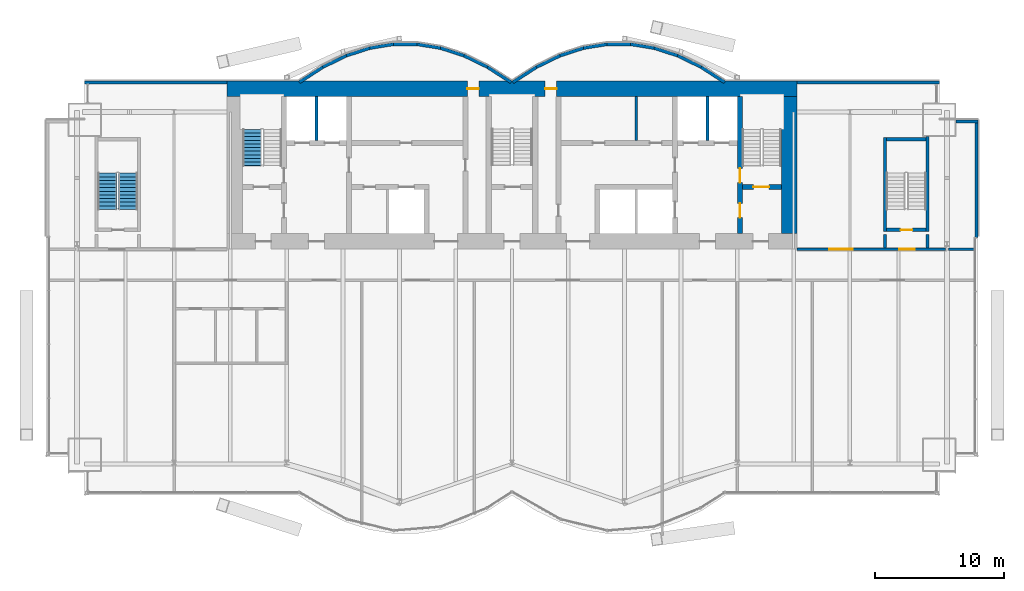
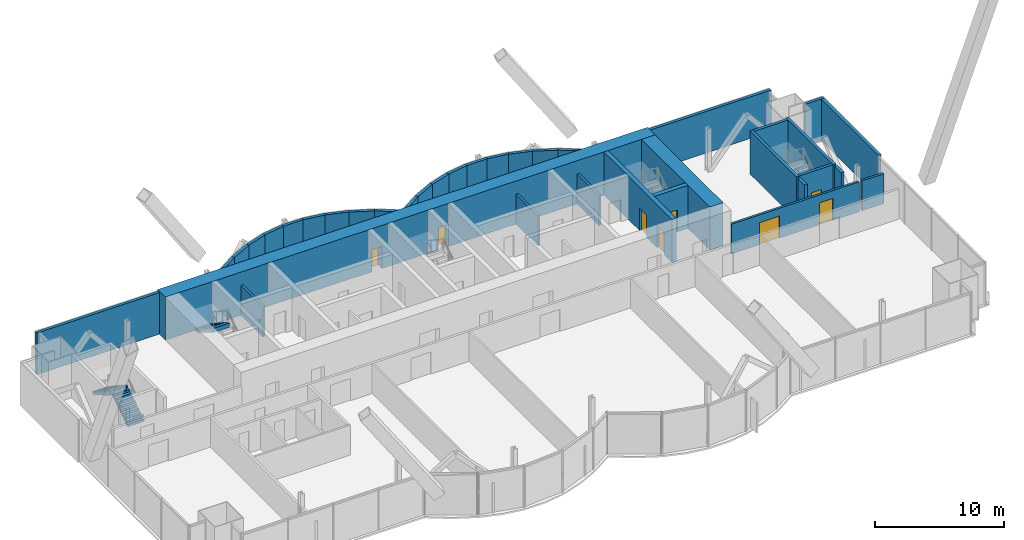
# One storey, part 20 of 24: 37 walls, 8 doors, 3 stair flights, 8 openings, 2 elements without a shape of their own.
"""IFC4 building model written with IfcOpenShell, lengths in metres."""

import ifcopenshell
import ifcopenshell.guid

model = None  # the IFC model being written
_history = None  # IfcOwnerHistory: only IFC2X3 demands one
_inside = {}  # id of a spatial element -> (the spatial element, [elements in it])
_under = {}  # id of a project, library or spatial element -> (it, [spatial elements below it])
_declared = {}  # id of a project -> (the project, [libraries it declares])
_typed = {}  # id of a type object -> (the type object, [elements of that type])
_made_of = {}  # id of a material, layer set ... -> (it, [elements and type objects made of it])


def new_model(schema):
    """Start an empty IFC model of exactly this schema.

    Asked for "IFC4X3", IfcOpenShell would pick the latest addendum, in which some entities
    have other attributes; the version numbers below select the first issue.
    IFC2X3 requires an IfcOwnerHistory on every rooted entity: one is made here for all.
    """
    global model, _history
    if schema == "IFC4X3":
        model = ifcopenshell.file(schema_version=(4, 3, 0, 0))
    else:
        model = ifcopenshell.file(schema=schema)
    _inside.clear()
    _under.clear()
    _declared.clear()
    _typed.clear()
    _made_of.clear()
    _history = None
    if model.schema == "IFC2X3":
        org = make("IfcOrganization", Name="unknown")
        user = make(
            "IfcPersonAndOrganization",
            ThePerson=make("IfcPerson", FamilyName="unknown"),
            TheOrganization=org,
        )
        app = make(
            "IfcApplication",
            ApplicationDeveloper=org,
            Version="unknown",
            ApplicationFullName="unknown",
            ApplicationIdentifier="unknown",
        )
        _history = make(
            "IfcOwnerHistory",
            OwningUser=user,
            OwningApplication=app,
            ChangeAction="ADDED",
            CreationDate=0,
        )
    return model


def make(cls, **values):
    """One entity of the class cls with the attributes given. An attribute that is None is left unset."""
    return model.create_entity(
        cls, **{name: value for name, value in values.items() if value is not None}
    )


def rooted(cls, **values):
    """An entity with a GlobalId (a new one), such as an element, a storey or a relation."""
    return make(cls, GlobalId=ifcopenshell.guid.new(), OwnerHistory=_history, **values)


def si_unit(unit_type, name, prefix=None):
    """IfcSIUnit, for example si_unit("LENGTHUNIT", "METRE", prefix="MILLI")."""
    return make("IfcSIUnit", UnitType=unit_type, Prefix=prefix, Name=name)


def assignment(units):
    """IfcUnitAssignment: the units of a project."""
    return None if units is None else make("IfcUnitAssignment", Units=units)


def point(xyz):
    """IfcCartesianPoint."""
    return None if xyz is None else make("IfcCartesianPoint", Coordinates=xyz)


def direction(xyz):
    """IfcDirection."""
    return None if xyz is None else make("IfcDirection", DirectionRatios=xyz)


def frame(location, z_axis=None, x_axis=None):
    """IfcAxis2Placement3D, a coordinate frame: its origin and axes. An axis left out is left unset."""
    return make(
        "IfcAxis2Placement3D",
        Location=point(location),
        Axis=direction(z_axis),
        RefDirection=direction(x_axis),
    )


def frame_2d(location, x_axis=None):
    """IfcAxis2Placement2D, a coordinate frame in the plane: its origin and x axis."""
    return make(
        "IfcAxis2Placement2D", Location=point(location), RefDirection=direction(x_axis)
    )


def origin():
    """The frame at (0, 0, 0) with its axes left unset."""
    return frame((0.0, 0.0, 0.0))


def place(relative_to, where):
    """IfcLocalPlacement: puts the frame where relative to a parent placement (None: the world)."""
    return make(
        "IfcLocalPlacement", PlacementRelTo=relative_to, RelativePlacement=where
    )


def context(
    kind, dimensions, precision=None, world=None, true_north=None, identifier=None
):
    """IfcGeometricRepresentationContext, for example the 3D "Model" context."""
    return make(
        "IfcGeometricRepresentationContext",
        ContextIdentifier=identifier,
        ContextType=kind,
        CoordinateSpaceDimension=dimensions,
        Precision=precision,
        WorldCoordinateSystem=world,
        TrueNorth=true_north,
    )


def subcontext(parent, identifier, kind, view, scale=None):
    """IfcGeometricRepresentationSubContext, for example "Body" below "Model"."""
    return make(
        "IfcGeometricRepresentationSubContext",
        ContextIdentifier=identifier,
        ContextType=kind,
        ParentContext=parent,
        TargetScale=scale,
        TargetView=view,
    )


def project(units=None, contexts=None):
    """IfcProject with its units and contexts."""
    return rooted(
        "IfcProject",
        Name="project",
        RepresentationContexts=contexts,
        UnitsInContext=assignment(units),
    )


def spatial(cls, under=None, at=None, **own):
    """A site, building, storey or space (cls), placed at a placement, below another one or the project."""
    s = rooted(cls, ObjectPlacement=at, **own)
    if under is not None:
        _under.setdefault(under.id(), (under, []))[1].append(s)
    return s


def polyline(points):
    """IfcPolyline through the points."""
    return make("IfcPolyline", Points=[point(p) for p in points])


def profile(cls, at=None, kind="AREA", **sizes):
    """A parametric profile (cls). Its sizes go by their IFC names, for example OverallWidth=200.0."""
    return make(cls, ProfileType=kind, Position=at, **sizes)


def rectangle(**sizes):
    """IfcRectangleProfileDef."""
    return profile("IfcRectangleProfileDef", **sizes)


def outline(outer, holes=None, kind="AREA"):
    """IfcArbitraryClosedProfileDef: a profile drawn as a closed curve; with holes, ...WithVoids."""
    if holes is None:
        return make("IfcArbitraryClosedProfileDef", ProfileType=kind, OuterCurve=outer)
    return make(
        "IfcArbitraryProfileDefWithVoids",
        ProfileType=kind,
        OuterCurve=outer,
        InnerCurves=holes,
    )


def extrude(swept, where, along, depth):
    """IfcExtrudedAreaSolid: the profile swept, set in the frame where, extruded along a direction by depth."""
    return make(
        "IfcExtrudedAreaSolid",
        SweptArea=swept,
        Position=where,
        ExtrudedDirection=direction(along),
        Depth=depth,
    )


def shape(context_of_items, identifier, shape_type, items):
    """IfcShapeRepresentation: the items that make up one representation, for example the "Body"."""
    return make(
        "IfcShapeRepresentation",
        ContextOfItems=context_of_items,
        RepresentationIdentifier=identifier,
        RepresentationType=shape_type,
        Items=items,
    )


def material(Name=None, Category=None):
    """IfcMaterial."""
    return make("IfcMaterial", Name=Name, Category=Category)


def layer(
    of_material, thickness, ventilated=None, Name=None, Category=None, Priority=None
):
    """IfcMaterialLayer: one layer of a wall or slab, of a material (None: an air gap)."""
    return make(
        "IfcMaterialLayer",
        Material=of_material,
        LayerThickness=thickness,
        IsVentilated=ventilated,
        Name=Name,
        Category=Category,
        Priority=Priority,
    )


def layer_set(layers, Name=None):
    """IfcMaterialLayerSet."""
    return make("IfcMaterialLayerSet", MaterialLayers=layers, LayerSetName=Name)


def layer_usage(for_layer_set, set_direction, sense, offset, extent=None):
    """IfcMaterialLayerSetUsage: how a layer set lies in its element."""
    return make(
        "IfcMaterialLayerSetUsage",
        ForLayerSet=for_layer_set,
        LayerSetDirection=set_direction,
        DirectionSense=sense,
        OffsetFromReferenceLine=offset,
        ReferenceExtent=extent,
    )


def made_of(thing, what):
    """Note that an element or type object is made of a material, layer set ...; save() writes the relation."""
    if what is not None:
        _made_of.setdefault(what.id(), (what, []))[1].append(thing)
    return thing


def type_object(cls, material=None, **own):
    """A type object (cls), such as IfcWallType, which elements share."""
    return made_of(rooted(cls, **own), material)


def element(
    cls,
    number,
    at=None,
    inside=None,
    cuts=None,
    type_object=None,
    material=None,
    context=None,
    identifier="Body",
    shape_type=None,
    held_by="IfcProductDefinitionShape",
    body=None,
    shapes=None,
    **own,
):
    """One element of the class cls, such as IfcWall. Its Tag is "e" and its number.

    at: its placement. inside: the storey or other place that contains it. cuts: it is an
    opening in that element (IfcRelVoidsElement). A single representation is given by context,
    identifier, shape_type and body (its items); several are given by shapes. held_by: the class
    of the entity that holds the representations. save() writes the other relations.
    """
    e = rooted(cls, Tag="e%d" % number, ObjectPlacement=at, **own)
    if body is not None:
        shapes = [shape(context, identifier, shape_type, body)]
    if shapes is not None:
        e.Representation = make(held_by, Representations=shapes)
    if inside is not None:
        _inside.setdefault(inside.id(), (inside, []))[1].append(e)
    if cuts is not None:
        rooted(
            "IfcRelVoidsElement", RelatingBuildingElement=cuts, RelatedOpeningElement=e
        )
    if type_object is not None:
        _typed.setdefault(type_object.id(), (type_object, []))[1].append(e)
    return made_of(e, material)


def fill(opening, filler):
    """IfcRelFillsElement: the door or window that sits in an opening."""
    return rooted(
        "IfcRelFillsElement",
        RelatingOpeningElement=opening,
        RelatedBuildingElement=filler,
    )


def aggregate(whole, parts):
    """IfcRelAggregates: a whole, such as a stair, and the parts it consists of."""
    return rooted("IfcRelAggregates", RelatingObject=whole, RelatedObjects=parts)


def save(model, path):
    """Write the relations noted so far, then the file.

    IfcRelAggregates (storeys below a building ...), IfcRelContainedInSpatialStructure (elements
    in a storey), IfcRelDefinesByType, IfcRelAssociatesMaterial and IfcRelDeclares: one each for
    every whole, place, type object, material and project.
    """
    for whole, parts in _under.values():
        aggregate(whole, parts)
    for where, things in _inside.values():
        rooted(
            "IfcRelContainedInSpatialStructure",
            RelatedElements=things,
            RelatingStructure=where,
        )
    for kind, things in _typed.values():
        rooted("IfcRelDefinesByType", RelatedObjects=things, RelatingType=kind)
    for what, things in _made_of.values():
        rooted("IfcRelAssociatesMaterial", RelatedObjects=things, RelatingMaterial=what)
    for by, libraries in _declared.values():
        rooted("IfcRelDeclares", RelatingContext=by, RelatedDefinitions=libraries)
    model.write(path)


model = new_model("IFC4")

# Units and contexts
model_context = context("Model", 3, precision=1e-05, world=origin(), true_north=direction((0.0, 1.0)))
body_context = subcontext(model_context, "Body", "Model", "MODEL_VIEW")
ifc_project = project(units=[si_unit("LENGTHUNIT", "METRE"), si_unit("AREAUNIT", "SQUARE_METRE"), si_unit("VOLUMEUNIT", "CUBIC_METRE"), si_unit("PLANEANGLEUNIT", "RADIAN"), si_unit("MASSUNIT", "GRAM", prefix="KILO")], contexts=[model_context])

# Site, building, storey
site_placement = place(None, origin())
site = spatial("IfcSite", under=ifc_project, at=site_placement, CompositionType="ELEMENT")
building_placement = place(site_placement, origin())
building = spatial("IfcBuilding", under=site, at=building_placement, Name="Bicima Exchange Tower", CompositionType="ELEMENT")
storey_placement = place(building_placement, frame((0.0, 0.0, 211.39990234375)))
storey = spatial("IfcBuildingStorey", under=building, at=storey_placement, Name="L47", CompositionType="ELEMENT", Elevation=211.39990234375)

# Walls
ifc_material_1 = material(Name="Gypsum board partition")
ifc_layer_1 = layer(ifc_material_1, 0.199951171875)
ifc_layer_set_1 = layer_set([ifc_layer_1], Name="Gypsum board partition")
wall_type_1 = type_object("IfcWallType", Name="Fire-rated gypsum partition 200 EI120", PredefinedType="PARTITIONING", material=ifc_layer_set_1)
for number, where, z_axis, x_axis, name in (
    (1, (-15.10009765625, -4.60009765625, 0.0), (0.0, 0.0, 1.0), (0.0, 1.0, 0.0), "partition wall 9"),
    (2, (15.10009765625, -4.60009765625, 0.0), (0.0, 0.0, 1.0), (0.0, 1.0, 0.0), "partition wall 21"),
):
    element("IfcWall", number, at=place(storey_placement, frame(where, z_axis=z_axis, x_axis=x_axis)), inside=storey, type_object=wall_type_1, Name=name, PredefinedType="PARTITIONING", context=body_context, shape_type="SweptSolid", body=[
        extrude(rectangle(XDim=3.400146484375, YDim=0.199951171875, at=frame_2d((1.7001953125, 0.0))), origin(), (0.0, 0.0, 1.0), 2.840576171875),
    ])

# Wall, openings, doors
ifc_layer_2 = layer(ifc_material_1, 0.199951171875)
ifc_layer_set_2 = layer_set([ifc_layer_2], Name="Gypsum board partition")
wall_type_2 = type_object("IfcWallType", Name="Fire-rated gypsum partition 200 EI60", PredefinedType="PARTITIONING", material=ifc_layer_set_2)
wall_1_placement = place(storey_placement, frame((22.0, -13.0, 0.0), z_axis=(0.0, 0.0, 1.0), x_axis=(1.0, 0.0, 0.0)))
wall_1 = element("IfcWall", 3, at=wall_1_placement, inside=storey, type_object=wall_type_2, Name="partition wall 6", PredefinedType="PARTITIONING", context=body_context, shape_type="SweptSolid", body=[
    extrude(rectangle(XDim=11.47998046875, YDim=0.199951171875, at=frame_2d((5.739990234375, 0.0))), origin(), (0.0, 0.0, 1.0), 2.840576171875),
])
opening_1_placement = place(wall_1_placement, frame((7.89990234375, 0.0, 0.0)))
opening_1 = element("IfcOpeningElement", 4, at=opening_1_placement, cuts=wall_1, Name="Opening L47-003", PredefinedType="OPENING", context=body_context, shape_type="SweptSolid", body=[
    extrude(rectangle(XDim=1.199951171875, YDim=2.10009765625, at=frame_2d((0.60009765625, 1.050048828125))), frame((0.0, 0.11181640625, 0.0), z_axis=(0.0, -1.0, 0.0), x_axis=(1.0, 0.0, 0.0)), (0.0, 0.0, 1.0), 0.223876953125),
])
opening_2_placement = place(wall_1_placement, frame((2.5, 0.0, 0.0)))
opening_2 = element("IfcOpeningElement", 5, at=opening_2_placement, cuts=wall_1, Name="Opening L47-006", PredefinedType="OPENING", context=body_context, shape_type="SweptSolid", body=[
    extrude(rectangle(XDim=1.800048828125, YDim=2.10009765625, at=frame_2d((0.89990234375, 1.050048828125))), frame((0.0, 0.11181640625, 0.0), z_axis=(0.0, -1.0, 0.0), x_axis=(1.0, 0.0, 0.0)), (0.0, 0.0, 1.0), 0.223876953125),
])
ifc_material_2 = material(Name="Steel fire door leaf", Category="steel")
door_type_1 = type_object("IfcDoorType", Name="Door 1200 swing FD30S", OperationType="SINGLE_SWING_LEFT", PredefinedType="DOOR", material=ifc_material_2)
door_1_placement = place(opening_1_placement, origin())
door_1 = element("IfcDoor", 6, at=door_1_placement, inside=storey, type_object=door_type_1, Name="Door", OperationType="SINGLE_SWING_RIGHT", OverallHeight=2.10009765625, OverallWidth=1.199951171875, PredefinedType="DOOR", context=body_context, shape_type="SweptSolid", body=[
    extrude(rectangle(XDim=1.199951171875, YDim=2.10009765625, at=frame_2d((0.60009765625, 1.050048828125))), frame((0.0, 0.02490234375, 0.0), z_axis=(0.0, -1.0, 0.0), x_axis=(1.0, 0.0, 0.0)), (0.0, 0.0, 1.0), 0.050048828125),
])
fill(opening_1, door_1)
door_type_2 = type_object("IfcDoorType", Name="Door 1800 double swing FD30S", OperationType="DOUBLE_DOOR_SINGLE_SWING", PredefinedType="DOOR", material=ifc_material_2)
door_2_placement = place(opening_2_placement, origin())
door_2 = element("IfcDoor", 7, at=door_2_placement, inside=storey, type_object=door_type_2, Name="Door", OperationType="SINGLE_SWING_LEFT", OverallHeight=2.10009765625, OverallWidth=1.800048828125, PredefinedType="DOOR", context=body_context, shape_type="SweptSolid", body=[
    extrude(rectangle(XDim=1.800048828125, YDim=2.10009765625, at=frame_2d((0.89990234375, 1.050048828125))), frame((0.0, 0.02490234375, 0.0), z_axis=(0.0, -1.0, 0.0), x_axis=(1.0, 0.0, 0.0)), (0.0, 0.0, 1.0), 0.050048828125),
])
fill(opening_2, door_2)

# Walls
wall_2_placement = place(storey_placement, frame((33.719970703125, -13.0, 0.0), z_axis=(0.0, 0.0, 1.0), x_axis=(1.0, 0.0, 0.0)))
element("IfcWall", 8, at=wall_2_placement, inside=storey, type_object=wall_type_2, Name="partition wall 7", PredefinedType="PARTITIONING", context=body_context, shape_type="SweptSolid", body=[
    extrude(rectangle(XDim=1.9599609375, YDim=0.199951171875, at=frame_2d((0.97998046875, 0.0))), origin(), (0.0, 0.0, 1.0), 2.840576171875),
])
wall_3_placement = place(storey_placement, frame((9.60009765625, -4.60009765625, 0.0), z_axis=(0.0, 0.0, 1.0), x_axis=(0.0, 1.0, 0.0)))
element("IfcWall", 9, at=wall_3_placement, inside=storey, type_object=wall_type_2, Name="partition wall 19", PredefinedType="PARTITIONING", context=body_context, shape_type="SweptSolid", body=[
    extrude(rectangle(XDim=3.400146484375, YDim=0.199951171875, at=frame_2d((1.7001953125, 0.0))), origin(), (0.0, 0.0, 1.0), 2.840576171875),
])

# Wall, openings, doors
ifc_material_3 = material(Name="Concrete C50/60", Category="concrete")
ifc_layer_3 = layer(ifc_material_3, 1.199951171875)
ifc_layer_set_3 = layer_set([ifc_layer_3], Name="Concrete C50/60")
wall_type_3 = type_object("IfcWallType", Name="RC core wall 1200 C50/60", PredefinedType="SHEAR", material=ifc_layer_set_3)
wall_4_placement = place(storey_placement, frame((-22.0, -0.60009765625, 0.0), z_axis=(0.0, 0.0, 1.0), x_axis=(1.0, 0.0, 0.0)))
wall_4 = element("IfcWall", 10, at=wall_4_placement, inside=storey, type_object=wall_type_3, Name="Core wall north", PredefinedType="SHEAR", context=body_context, shape_type="SweptSolid", body=[
    extrude(rectangle(XDim=44.0, YDim=1.199951171875, at=frame_2d((22.0, 0.0))), origin(), (0.0, 0.0, 1.0), 4.10009765625),
])
opening_3_placement = place(wall_4_placement, frame((18.550048828125, 0.0, 0.0)))
opening_3 = element("IfcOpeningElement", 11, at=opening_3_placement, cuts=wall_4, Name="Opening L47-C16", PredefinedType="OPENING", context=body_context, shape_type="SweptSolid", body=[
    extrude(rectangle(XDim=0.89990234375, YDim=2.10009765625, at=frame_2d((0.449951171875, 1.050048828125))), frame((0.0, 0.61181640625, 0.0), z_axis=(0.0, -1.0, 0.0), x_axis=(1.0, 0.0, 0.0)), (0.0, 0.0, 1.0), 1.223876953125),
])
opening_4_placement = place(wall_4_placement, frame((24.550048828125, 0.0, 0.0)))
opening_4 = element("IfcOpeningElement", 12, at=opening_4_placement, cuts=wall_4, Name="Opening L47-C17", PredefinedType="OPENING", context=body_context, shape_type="SweptSolid", body=[
    extrude(rectangle(XDim=0.89990234375, YDim=2.10009765625, at=frame_2d((0.449951171875, 1.050048828125))), frame((0.0, 0.61181640625, 0.0), z_axis=(0.0, -1.0, 0.0), x_axis=(1.0, 0.0, 0.0)), (0.0, 0.0, 1.0), 1.223876953125),
])
door_type_3 = type_object("IfcDoorType", Name="Door 900 swing FD30S", OperationType="SINGLE_SWING_LEFT", PredefinedType="DOOR", material=ifc_material_2)
door_3_placement = place(opening_3_placement, origin())
door_3 = element("IfcDoor", 13, at=door_3_placement, inside=storey, type_object=door_type_3, Name="Core door", OperationType="SINGLE_SWING_LEFT", OverallHeight=2.10009765625, OverallWidth=0.89990234375, PredefinedType="DOOR", context=body_context, shape_type="SweptSolid", body=[
    extrude(rectangle(XDim=0.89990234375, YDim=2.10009765625, at=frame_2d((0.449951171875, 1.050048828125))), frame((0.0, 0.02490234375, 0.0), z_axis=(0.0, -1.0, 0.0), x_axis=(1.0, 0.0, 0.0)), (0.0, 0.0, 1.0), 0.050048828125),
])
fill(opening_3, door_3)
door_4_placement = place(opening_4_placement, origin())
door_4 = element("IfcDoor", 14, at=door_4_placement, inside=storey, type_object=door_type_3, Name="Core door", OperationType="SINGLE_SWING_LEFT", OverallHeight=2.10009765625, OverallWidth=0.89990234375, PredefinedType="DOOR", context=body_context, shape_type="SweptSolid", body=[
    extrude(rectangle(XDim=0.89990234375, YDim=2.10009765625, at=frame_2d((0.449951171875, 1.050048828125))), frame((0.0, 0.02490234375, 0.0), z_axis=(0.0, -1.0, 0.0), x_axis=(1.0, 0.0, 0.0)), (0.0, 0.0, 1.0), 0.050048828125),
])
fill(opening_4, door_4)

# Walls
wall_5_placement = place(storey_placement, frame((21.39990234375, -11.800048828125, 0.0), z_axis=(0.0, 0.0, 1.0), x_axis=(0.0, 1.0, 0.0)))
element("IfcWall", 15, at=wall_5_placement, inside=storey, type_object=wall_type_3, Name="Core wall east", PredefinedType="SHEAR", context=body_context, shape_type="SweptSolid", body=[
    extrude(rectangle(XDim=10.60009765625, YDim=1.199951171875, at=frame_2d((5.300048828125, 0.0))), origin(), (0.0, 0.0, 1.0), 4.10009765625),
])
ifc_layer_4 = layer(ifc_material_3, 0.25)
ifc_layer_set_4 = layer_set([ifc_layer_4], Name="Concrete C50/60")
wall_type_4 = type_object("IfcWallType", Name="RC core wall 250 C50/60", PredefinedType="SHEAR", material=ifc_layer_set_4)
for number, where, z_axis, x_axis, name in (
    (16, (28.800048828125, -12.89990234375, 0.0), (0.0, 0.0, 1.0), (0.0, 1.0, 0.0), "stair wall 26"),
    (17, (32.10009765625, -12.89990234375, 0.0), (0.0, 0.0, 1.0), (0.0, 1.0, 0.0), "stair wall 27"),
):
    element("IfcWall", number, at=place(storey_placement, frame(where, z_axis=z_axis, x_axis=x_axis)), inside=storey, type_object=wall_type_4, Name=name, PredefinedType="SHEAR", context=body_context, shape_type="SweptSolid", body=[
        extrude(rectangle(XDim=1.0498046875, YDim=0.25, at=frame_2d((0.52490234375, 0.0))), origin(), (0.0, 0.0, 1.0), 4.10009765625),
    ])

# Wall, opening, door
ifc_layer_5 = layer(ifc_material_3, 0.39990234375)
ifc_layer_set_5 = layer_set([ifc_layer_5], Name="Concrete C50/60")
wall_type_5 = type_object("IfcWallType", Name="RC core wall 400 C50/60", PredefinedType="SHEAR", material=ifc_layer_set_5)
wall_6_placement = place(storey_placement, frame((17.800048828125, -8.199951171875, 0.0), z_axis=(0.0, 0.0, 1.0), x_axis=(1.0, 0.0, 0.0)))
wall_6 = element("IfcWall", 18, at=wall_6_placement, inside=storey, type_object=wall_type_5, Name="stair wall 5", PredefinedType="SHEAR", context=body_context, shape_type="SweptSolid", body=[
    extrude(rectangle(XDim=3.0, YDim=0.39990234375, at=frame_2d((1.5, 0.0))), origin(), (0.0, 0.0, 1.0), 4.10009765625),
])
opening_5_placement = place(wall_6_placement, frame((0.85009765625, 0.0, 0.0)))
opening_5 = element("IfcOpeningElement", 19, at=opening_5_placement, cuts=wall_6, Name="Opening L47-C04", PredefinedType="OPENING", context=body_context, shape_type="SweptSolid", body=[
    extrude(rectangle(XDim=1.199951171875, YDim=2.10009765625, at=frame_2d((0.60009765625, 1.050048828125))), frame((0.0, 0.2119140625, 0.0), z_axis=(0.0, -1.0, 0.0), x_axis=(1.0, 0.0, 0.0)), (0.0, 0.0, 1.0), 0.423828125),
])
door_type_4 = type_object("IfcDoorType", Name="Door 1200 swing FD60S", OperationType="SINGLE_SWING_LEFT", PredefinedType="DOOR", material=ifc_material_2)
door_5_placement = place(opening_5_placement, origin())
door_5 = element("IfcDoor", 20, at=door_5_placement, inside=storey, type_object=door_type_4, Name="Core door", OperationType="SINGLE_SWING_RIGHT", OverallHeight=2.10009765625, OverallWidth=1.199951171875, PredefinedType="DOOR", context=body_context, shape_type="SweptSolid", body=[
    extrude(rectangle(XDim=1.199951171875, YDim=2.10009765625, at=frame_2d((0.60009765625, 1.050048828125))), frame((0.0, 0.02490234375, 0.0), z_axis=(0.0, -1.0, 0.0), x_axis=(1.0, 0.0, 0.0)), (0.0, 0.0, 1.0), 0.050048828125),
])
fill(opening_5, door_5)

# Wall, openings, doors
wall_7_placement = place(storey_placement, frame((17.60009765625, -11.800048828125, 0.0), z_axis=(0.0, 0.0, 1.0), x_axis=(0.0, 1.0, 0.0)))
wall_7 = element("IfcWall", 21, at=wall_7_placement, inside=storey, type_object=wall_type_5, Name="stair wall 22", PredefinedType="SHEAR", context=body_context, shape_type="SweptSolid", body=[
    extrude(rectangle(XDim=10.60009765625, YDim=0.39990234375, at=frame_2d((5.300048828125, 0.0))), origin(), (0.0, 0.0, 1.0), 4.10009765625),
])
opening_6_placement = place(wall_7_placement, frame((1.25, 0.0, 0.0)))
opening_6 = element("IfcOpeningElement", 22, at=opening_6_placement, cuts=wall_7, Name="Opening L47-C05", PredefinedType="OPENING", context=body_context, shape_type="SweptSolid", body=[
    extrude(rectangle(XDim=1.10009765625, YDim=2.10009765625, at=frame_2d((0.550048828125, 1.050048828125))), frame((0.0, 0.2119140625, 0.0), z_axis=(0.0, -1.0, 0.0), x_axis=(1.0, 0.0, 0.0)), (0.0, 0.0, 1.0), 0.423828125),
])
opening_7_placement = place(wall_7_placement, frame((3.949951171875, 0.0, 0.0)))
opening_7 = element("IfcOpeningElement", 23, at=opening_7_placement, cuts=wall_7, Name="Opening L47-C08", PredefinedType="OPENING", context=body_context, shape_type="SweptSolid", body=[
    extrude(rectangle(XDim=1.10009765625, YDim=2.10009765625, at=frame_2d((0.550048828125, 1.050048828125))), frame((0.0, 0.2119140625, 0.0), z_axis=(0.0, -1.0, 0.0), x_axis=(1.0, 0.0, 0.0)), (0.0, 0.0, 1.0), 0.423828125),
])
door_type_5 = type_object("IfcDoorType", Name="Door 1100 swing FD60S", OperationType="SINGLE_SWING_LEFT", PredefinedType="DOOR", material=ifc_material_2)
door_6_placement = place(opening_6_placement, origin())
door_6 = element("IfcDoor", 24, at=door_6_placement, inside=storey, type_object=door_type_5, Name="Core door", OperationType="SINGLE_SWING_LEFT", OverallHeight=2.10009765625, OverallWidth=1.10009765625, PredefinedType="DOOR", context=body_context, shape_type="SweptSolid", body=[
    extrude(rectangle(XDim=1.10009765625, YDim=2.10009765625, at=frame_2d((0.550048828125, 1.050048828125))), frame((0.0, 0.02490234375, 0.0), z_axis=(0.0, -1.0, 0.0), x_axis=(1.0, 0.0, 0.0)), (0.0, 0.0, 1.0), 0.050048828125),
])
fill(opening_6, door_6)
door_7_placement = place(opening_7_placement, origin())
door_7 = element("IfcDoor", 25, at=door_7_placement, inside=storey, type_object=door_type_5, Name="Core door", OperationType="SINGLE_SWING_RIGHT", OverallHeight=2.10009765625, OverallWidth=1.10009765625, PredefinedType="DOOR", context=body_context, shape_type="SweptSolid", body=[
    extrude(rectangle(XDim=1.10009765625, YDim=2.10009765625, at=frame_2d((0.550048828125, 1.050048828125))), frame((0.0, 0.02490234375, 0.0), z_axis=(0.0, -1.0, 0.0), x_axis=(1.0, 0.0, 0.0)), (0.0, 0.0, 1.0), 0.050048828125),
])
fill(opening_7, door_7)

# Walls
ifc_layer_6 = layer(ifc_material_3, 0.25)
ifc_layer_set_6 = layer_set([ifc_layer_6], Name="Concrete C50/60")
wall_type_6 = type_object("IfcWallType", Name="RC stair enclosure wall 250 C50/60", PredefinedType="SHEAR", material=ifc_layer_set_6)
wall_8_placement = place(storey_placement, frame((28.800048828125, -11.625, 0.0), z_axis=(0.0, 0.0, 1.0), x_axis=(0.0, 1.0, 0.0)))
element("IfcWall", 26, at=wall_8_placement, inside=storey, type_object=wall_type_6, Name="East end exit stair wall W", PredefinedType="SHEAR", context=body_context, shape_type="SweptSolid", body=[
    extrude(rectangle(XDim=7.25, YDim=0.25, at=frame_2d((3.625, 0.0))), origin(), (0.0, 0.0, 1.0), 4.10009765625),
])
wall_9_placement = place(storey_placement, frame((32.10009765625, -11.625, 0.0), z_axis=(0.0, 0.0, 1.0), x_axis=(0.0, 1.0, 0.0)))
element("IfcWall", 27, at=wall_9_placement, inside=storey, type_object=wall_type_6, Name="East end exit stair wall E", PredefinedType="SHEAR", context=body_context, shape_type="SweptSolid", body=[
    extrude(rectangle(XDim=7.324951171875, YDim=0.25, at=frame_2d((3.66259765625, 0.0))), origin(), (0.0, 0.0, 1.0), 4.10009765625),
])

# Wall, opening, door
wall_10_placement = place(storey_placement, frame((28.925048828125, -11.5, 0.0), z_axis=(0.0, 0.0, 1.0), x_axis=(1.0, 0.0, 0.0)))
wall_10 = element("IfcWall", 28, at=wall_10_placement, inside=storey, type_object=wall_type_6, Name="East end exit stair wall S", PredefinedType="SHEAR", context=body_context, shape_type="SweptSolid", body=[
    extrude(rectangle(XDim=3.050048828125, YDim=0.25, at=frame_2d((1.52490234375, 0.0))), origin(), (0.0, 0.0, 1.0), 4.10009765625),
])
opening_8_placement = place(wall_10_placement, frame((1.10009765625, 0.0, 0.0)))
opening_8 = element("IfcOpeningElement", 29, at=opening_8_placement, cuts=wall_10, Name="Opening L47-004", PredefinedType="OPENING", context=body_context, shape_type="SweptSolid", body=[
    extrude(rectangle(XDim=0.89990234375, YDim=2.10009765625, at=frame_2d((0.449951171875, 1.050048828125))), frame((0.0, 0.136962890625, 0.0), z_axis=(0.0, -1.0, 0.0), x_axis=(1.0, 0.0, 0.0)), (0.0, 0.0, 1.0), 0.27392578125),
])
door_type_6 = type_object("IfcDoorType", Name="Door 900 swing FD60S", OperationType="SINGLE_SWING_LEFT", PredefinedType="DOOR", material=ifc_material_2)
door_8_placement = place(opening_8_placement, origin())
door_8 = element("IfcDoor", 30, at=door_8_placement, inside=storey, type_object=door_type_6, Name="Door", OperationType="SINGLE_SWING_LEFT", OverallHeight=2.10009765625, OverallWidth=0.89990234375, PredefinedType="DOOR", context=body_context, shape_type="SweptSolid", body=[
    extrude(rectangle(XDim=0.89990234375, YDim=2.10009765625, at=frame_2d((0.449951171875, 1.050048828125))), frame((0.0, 0.02490234375, 0.0), z_axis=(0.0, -1.0, 0.0), x_axis=(1.0, 0.0, 0.0)), (0.0, 0.0, 1.0), 0.050048828125),
])
fill(opening_8, door_8)

# Walls
wall_11_placement = place(storey_placement, frame((28.925048828125, -4.5, 0.0), z_axis=(0.0, 0.0, 1.0), x_axis=(1.0, 0.0, 0.0)))
element("IfcWall", 31, at=wall_11_placement, inside=storey, type_object=wall_type_6, Name="East end exit stair wall N", PredefinedType="SHEAR", context=body_context, shape_type="SweptSolid", body=[
    extrude(rectangle(XDim=3.050048828125, YDim=0.25, at=frame_2d((1.52490234375, 0.0))), origin(), (0.0, 0.0, 1.0), 4.10009765625),
])
ifc_material_4 = material(Name="Concrete C40/50", Category="concrete")
ifc_layer_7 = layer(ifc_material_4, 0.25)
ifc_layer_set_7 = layer_set([ifc_layer_7], Name="Concrete C40/50")
ifc_layer_usage = layer_usage(ifc_layer_set_7, "AXIS2", "POSITIVE", -0.125)
wall_type_7 = type_object("IfcWallType", Name="Rear backup wall 250", PredefinedType="STANDARD", material=ifc_layer_set_7)
wall_12_placement = place(storey_placement, frame((33.0, -0.125, 0.0), z_axis=(0.0, 0.0, 1.0), x_axis=(-1.0, 0.0, 0.0)))
element("IfcWall", 32, at=wall_12_placement, inside=storey, type_object=wall_type_7, material=ifc_layer_usage, Name="Rear backup wall L47 1", PredefinedType="STANDARD", context=body_context, shape_type="SweptSolid", body=[
    extrude(rectangle(XDim=11.0, YDim=0.25, at=frame_2d((5.5, 0.0))), origin(), (0.0, 0.0, 1.0), 3.9501953125),
])
wall_13_placement = place(storey_placement, frame((16.43212890625, -0.10498046875, 0.0), z_axis=(0.0, 0.0, 1.0), x_axis=(-0.83981312244, 0.542875602121, 0.0)))
element("IfcWall", 33, at=wall_13_placement, inside=storey, type_object=wall_type_7, material=ifc_layer_usage, Name="Rear backup wall L47 2", PredefinedType="STANDARD", context=body_context, shape_type="SweptSolid", body=[
    extrude(rectangle(XDim=2.182861328125, YDim=0.25, at=frame_2d((1.09130859375, 0.0))), origin(), (0.0, 0.0, 1.0), 3.9501953125),
])
wall_14_placement = place(storey_placement, frame((14.6123046875, 1.07275390625, 0.0), z_axis=(0.0, 0.0, 1.0), x_axis=(-0.89982408427, 0.436252928206, 0.0)))
element("IfcWall", 34, at=wall_14_placement, inside=storey, type_object=wall_type_7, material=ifc_layer_usage, Name="Rear backup wall L47 3", PredefinedType="STANDARD", context=body_context, shape_type="SweptSolid", body=[
    extrude(rectangle(XDim=2.03759765625, YDim=0.25, at=frame_2d((1.018798828125, 0.0))), origin(), (0.0, 0.0, 1.0), 3.9501953125),
])
wall_15_placement = place(storey_placement, frame((12.794921875, 1.955078125, 0.0), z_axis=(0.0, 0.0, 1.0), x_axis=(-0.951495806175, 0.307661714928, 0.0)))
element("IfcWall", 35, at=wall_15_placement, inside=storey, type_object=wall_type_7, material=ifc_layer_usage, Name="Rear backup wall L47 4", PredefinedType="STANDARD", context=body_context, shape_type="SweptSolid", body=[
    extrude(rectangle(XDim=1.9267578125, YDim=0.25, at=frame_2d((0.96337890625, 0.0))), origin(), (0.0, 0.0, 1.0), 3.9501953125),
])
wall_16_placement = place(storey_placement, frame((10.97998046875, 2.543212890625, 0.0), z_axis=(0.0, 0.0, 1.0), x_axis=(-0.987181718931, 0.159600293885, 0.0)))
element("IfcWall", 36, at=wall_16_placement, inside=storey, type_object=wall_type_7, material=ifc_layer_usage, Name="Rear backup wall L47 5", PredefinedType="STANDARD", context=body_context, shape_type="SweptSolid", body=[
    extrude(rectangle(XDim=1.857177734375, YDim=0.25, at=frame_2d((0.9287109375, 0.0))), origin(), (0.0, 0.0, 1.0), 3.9501953125),
])
wall_17_placement = place(storey_placement, frame((9.166748046875, 2.837890625, 0.0), z_axis=(0.0, 0.0, 1.0), x_axis=(-1.0, 0.0, 0.0)))
element("IfcWall", 37, at=wall_17_placement, inside=storey, type_object=wall_type_7, material=ifc_layer_usage, Name="Rear backup wall L47 6", PredefinedType="STANDARD", context=body_context, shape_type="SweptSolid", body=[
    extrude(rectangle(XDim=1.83349609375, YDim=0.25, at=frame_2d((0.916748046875, 0.0))), origin(), (0.0, 0.0, 1.0), 3.9501953125),
])
wall_18_placement = place(storey_placement, frame((7.353271484375, 2.839599609375, 0.0), z_axis=(0.0, 0.0, 1.0), x_axis=(-0.987181718931, -0.159600293885, 0.0)))
element("IfcWall", 38, at=wall_18_placement, inside=storey, type_object=wall_type_7, material=ifc_layer_usage, Name="Rear backup wall L47 7", PredefinedType="STANDARD", context=body_context, shape_type="SweptSolid", body=[
    extrude(rectangle(XDim=1.857177734375, YDim=0.25, at=frame_2d((0.9287109375, 0.0))), origin(), (0.0, 0.0, 1.0), 3.9501953125),
])
wall_19_placement = place(storey_placement, frame((5.538330078125, 2.5478515625, 0.0), z_axis=(0.0, 0.0, 1.0), x_axis=(-0.951495806175, -0.307661714928, 0.0)))
element("IfcWall", 39, at=wall_19_placement, inside=storey, type_object=wall_type_7, material=ifc_layer_usage, Name="Rear backup wall L47 8", PredefinedType="STANDARD", context=body_context, shape_type="SweptSolid", body=[
    extrude(rectangle(XDim=1.9267578125, YDim=0.25, at=frame_2d((0.96337890625, 0.0))), origin(), (0.0, 0.0, 1.0), 3.9501953125),
])
wall_20_placement = place(storey_placement, frame((3.72119140625, 1.961669921875, 0.0), z_axis=(0.0, 0.0, 1.0), x_axis=(-0.89982408427, -0.436252928206, 0.0)))
element("IfcWall", 40, at=wall_20_placement, inside=storey, type_object=wall_type_7, material=ifc_layer_usage, Name="Rear backup wall L47 9", PredefinedType="STANDARD", context=body_context, shape_type="SweptSolid", body=[
    extrude(rectangle(XDim=2.03759765625, YDim=0.25, at=frame_2d((1.018798828125, 0.0))), origin(), (0.0, 0.0, 1.0), 3.9501953125),
])
for number, where, z_axis, x_axis, name in (
    (41, (1.901123046875, 1.080078125, 0.0), (0.0, 0.0, 1.0), (-0.83981312244, -0.542875602121, 0.0), "Rear backup wall L47 10"),
    (42, (-0.06787109375, -0.10498046875, 0.0), (0.0, 0.0, 1.0), (-0.83981312244, 0.542875602121, 0.0), "Rear backup wall L47 11"),
):
    element("IfcWall", number, at=place(storey_placement, frame(where, z_axis=z_axis, x_axis=x_axis)), inside=storey, type_object=wall_type_7, material=ifc_layer_usage, Name=name, PredefinedType="STANDARD", context=body_context, shape_type="SweptSolid", body=[
        extrude(rectangle(XDim=2.182861328125, YDim=0.25, at=frame_2d((1.09130859375, 0.0))), origin(), (0.0, 0.0, 1.0), 3.9501953125),
    ])
wall_21_placement = place(storey_placement, frame((-1.8876953125, 1.07275390625, 0.0), z_axis=(0.0, 0.0, 1.0), x_axis=(-0.89982408427, 0.436252928206, 0.0)))
element("IfcWall", 43, at=wall_21_placement, inside=storey, type_object=wall_type_7, material=ifc_layer_usage, Name="Rear backup wall L47 12", PredefinedType="STANDARD", context=body_context, shape_type="SweptSolid", body=[
    extrude(rectangle(XDim=2.03759765625, YDim=0.25, at=frame_2d((1.018798828125, 0.0))), origin(), (0.0, 0.0, 1.0), 3.9501953125),
])
wall_22_placement = place(storey_placement, frame((-3.705078125, 1.955078125, 0.0), z_axis=(0.0, 0.0, 1.0), x_axis=(-0.951495806175, 0.307661714928, 0.0)))
element("IfcWall", 44, at=wall_22_placement, inside=storey, type_object=wall_type_7, material=ifc_layer_usage, Name="Rear backup wall L47 13", PredefinedType="STANDARD", context=body_context, shape_type="SweptSolid", body=[
    extrude(rectangle(XDim=1.9267578125, YDim=0.25, at=frame_2d((0.96337890625, 0.0))), origin(), (0.0, 0.0, 1.0), 3.9501953125),
])
wall_23_placement = place(storey_placement, frame((-5.52001953125, 2.543212890625, 0.0), z_axis=(0.0, 0.0, 1.0), x_axis=(-0.987181718931, 0.159600293885, 0.0)))
element("IfcWall", 45, at=wall_23_placement, inside=storey, type_object=wall_type_7, material=ifc_layer_usage, Name="Rear backup wall L47 14", PredefinedType="STANDARD", context=body_context, shape_type="SweptSolid", body=[
    extrude(rectangle(XDim=1.857177734375, YDim=0.25, at=frame_2d((0.9287109375, 0.0))), origin(), (0.0, 0.0, 1.0), 3.9501953125),
])
wall_24_placement = place(storey_placement, frame((-7.333251953125, 2.837890625, 0.0), z_axis=(0.0, 0.0, 1.0), x_axis=(-1.0, 0.0, 0.0)))
element("IfcWall", 46, at=wall_24_placement, inside=storey, type_object=wall_type_7, material=ifc_layer_usage, Name="Rear backup wall L47 15", PredefinedType="STANDARD", context=body_context, shape_type="SweptSolid", body=[
    extrude(rectangle(XDim=1.83349609375, YDim=0.25, at=frame_2d((0.916748046875, 0.0))), origin(), (0.0, 0.0, 1.0), 3.9501953125),
])
wall_25_placement = place(storey_placement, frame((-9.146728515625, 2.839599609375, 0.0), z_axis=(0.0, 0.0, 1.0), x_axis=(-0.987181718931, -0.159600293885, 0.0)))
element("IfcWall", 47, at=wall_25_placement, inside=storey, type_object=wall_type_7, material=ifc_layer_usage, Name="Rear backup wall L47 16", PredefinedType="STANDARD", context=body_context, shape_type="SweptSolid", body=[
    extrude(rectangle(XDim=1.857177734375, YDim=0.25, at=frame_2d((0.9287109375, 0.0))), origin(), (0.0, 0.0, 1.0), 3.9501953125),
])
wall_26_placement = place(storey_placement, frame((-10.961669921875, 2.5478515625, 0.0), z_axis=(0.0, 0.0, 1.0), x_axis=(-0.951495806175, -0.307661714928, 0.0)))
element("IfcWall", 48, at=wall_26_placement, inside=storey, type_object=wall_type_7, material=ifc_layer_usage, Name="Rear backup wall L47 17", PredefinedType="STANDARD", context=body_context, shape_type="SweptSolid", body=[
    extrude(rectangle(XDim=1.9267578125, YDim=0.25, at=frame_2d((0.96337890625, 0.0))), origin(), (0.0, 0.0, 1.0), 3.9501953125),
])
wall_27_placement = place(storey_placement, frame((-12.77880859375, 1.961669921875, 0.0), z_axis=(0.0, 0.0, 1.0), x_axis=(-0.89982408427, -0.436252928206, 0.0)))
element("IfcWall", 49, at=wall_27_placement, inside=storey, type_object=wall_type_7, material=ifc_layer_usage, Name="Rear backup wall L47 18", PredefinedType="STANDARD", context=body_context, shape_type="SweptSolid", body=[
    extrude(rectangle(XDim=2.03759765625, YDim=0.25, at=frame_2d((1.018798828125, 0.0))), origin(), (0.0, 0.0, 1.0), 3.9501953125),
])
wall_28_placement = place(storey_placement, frame((-14.598876953125, 1.080078125, 0.0), z_axis=(0.0, 0.0, 1.0), x_axis=(-0.83981312244, -0.542875602121, 0.0)))
element("IfcWall", 50, at=wall_28_placement, inside=storey, type_object=wall_type_7, material=ifc_layer_usage, Name="Rear backup wall L47 19", PredefinedType="STANDARD", context=body_context, shape_type="SweptSolid", body=[
    extrude(rectangle(XDim=2.182861328125, YDim=0.25, at=frame_2d((1.09130859375, 0.0))), origin(), (0.0, 0.0, 1.0), 3.9501953125),
])
wall_29_placement = place(storey_placement, frame((-22.0, -0.125, 0.0), z_axis=(0.0, 0.0, 1.0), x_axis=(-1.0, 0.0, 0.0)))
element("IfcWall", 51, at=wall_29_placement, inside=storey, type_object=wall_type_7, material=ifc_layer_usage, Name="Rear backup wall L47 20", PredefinedType="STANDARD", context=body_context, shape_type="SweptSolid", body=[
    extrude(rectangle(XDim=11.0, YDim=0.25, at=frame_2d((5.5, 0.0))), origin(), (0.0, 0.0, 1.0), 3.9501953125),
])
wall_30_placement = place(storey_placement, frame((35.875, -12.090087890625, 0.0), z_axis=(0.0, 0.0, 1.0), x_axis=(0.0, 1.0, 0.0)))
element("IfcWall", 52, at=wall_30_placement, inside=storey, type_object=wall_type_7, material=ifc_layer_usage, Name="Rear backup wall L47 50", PredefinedType="STANDARD", context=body_context, shape_type="SweptSolid", body=[
    extrude(rectangle(XDim=9.090087890625, YDim=0.25, at=frame_2d((4.544921875, 0.0))), origin(), (0.0, 0.0, 1.0), 3.9501953125),
])
wall_31_placement = place(storey_placement, frame((36.0, -3.125, 0.0), z_axis=(0.0, 0.0, 1.0), x_axis=(-1.0, 0.0, 0.0)))
element("IfcWall", 53, at=wall_31_placement, inside=storey, type_object=wall_type_7, material=ifc_layer_usage, Name="Rear backup wall L47 51", PredefinedType="STANDARD", context=body_context, shape_type="SweptSolid", body=[
    extrude(rectangle(XDim=1.699951171875, YDim=0.25, at=frame_2d((0.85009765625, 0.0))), origin(), (0.0, 0.0, 1.0), 3.9501953125),
])

# Stair, stair flight
stair_type = type_object("IfcStairType", Name="Exit stair", PredefinedType="HALF_TURN_STAIR", material=ifc_material_3)
stair_1_placement = place(storey_placement, origin())
stair_1 = element("IfcStair", 54, at=stair_1_placement, inside=storey, type_object=stair_type, Name="L47 West exit stair", PredefinedType="HALF_TURN_STAIR")
stair_flight_type = type_object("IfcStairFlightType", Name="Stair flight RC", PredefinedType="STRAIGHT", material=ifc_material_3)
stair_flight_1_placement = place(storey_placement, frame((-20.074951171875, -3.75, 2.050048828125), z_axis=(0.0, 0.0, 1.0), x_axis=(0.0, -1.0, 0.0)))
stair_flight_1 = element("IfcStairFlight", 55, at=stair_flight_1_placement, type_object=stair_flight_type, Name="ST-W flight 2", NumberOfRisers=11, NumberOfTreads=10, PredefinedType="STRAIGHT", RiserHeight=0.186363636, TreadLength=0.28, context=body_context, shape_type="SweptSolid", body=[
    extrude(outline(polyline([(0.0, 0.0), (0.0, 0.186279296875), (0.280029296875, 0.186279296875), (0.280029296875, 0.372802734375), (0.56005859375, 0.372802734375), (0.56005859375, 0.55908203125), (0.840087890625, 0.55908203125), (0.840087890625, 0.745361328125), (1.1201171875, 0.745361328125), (1.1201171875, 0.931884765625), (1.39990234375, 0.931884765625), (1.39990234375, 1.1181640625), (1.679931640625, 1.1181640625), (1.679931640625, 1.304443359375), (1.9599609375, 1.304443359375), (1.9599609375, 1.490966796875), (2.239990234375, 1.490966796875), (2.239990234375, 1.67724609375), (2.52001953125, 1.67724609375), (2.52001953125, 1.863525390625), (2.800048828125, 1.863525390625), (2.800048828125, 1.904052734375), (2.81494140625, 1.904052734375), (2.81494140625, 1.507080078125), (0.2705078125, 0.0), (0.0, 0.0)])), frame((0.0, 0.72509765625, 0.0), z_axis=(0.0, -1.0, 0.0), x_axis=(1.0, 0.0, 0.0)), (0.0, 0.0, 1.0), 1.449951171875),
])
aggregate(stair_1, [stair_flight_1])

# Stair, stair flights
stair_2_placement = place(storey_placement, origin())
stair_2 = element("IfcStair", 56, at=stair_2_placement, inside=storey, type_object=stair_type, Name="L47 West end exit stair", PredefinedType="HALF_TURN_STAIR")
stair_flight_2_placement = place(storey_placement, frame((-29.64990234375, -9.925048828125, 0.0), z_axis=(0.0, 0.0, 1.0), x_axis=(0.0, 1.0, 0.0)))
stair_flight_2 = element("IfcStairFlight", 57, at=stair_flight_2_placement, type_object=stair_flight_type, Name="ST-WW flight 1", NumberOfRisers=11, NumberOfTreads=10, PredefinedType="STRAIGHT", RiserHeight=0.186363636, TreadLength=0.28, context=body_context, shape_type="SweptSolid", body=[
    extrude(outline(polyline([(0.0, 0.0), (0.0, 0.186279296875), (0.280029296875, 0.186279296875), (0.280029296875, 0.372802734375), (0.56005859375, 0.372802734375), (0.56005859375, 0.55908203125), (0.840087890625, 0.55908203125), (0.840087890625, 0.745361328125), (1.1201171875, 0.745361328125), (1.1201171875, 0.931884765625), (1.39990234375, 0.931884765625), (1.39990234375, 1.1181640625), (1.679931640625, 1.1181640625), (1.679931640625, 1.304443359375), (1.9599609375, 1.304443359375), (1.9599609375, 1.490966796875), (2.239990234375, 1.490966796875), (2.239990234375, 1.67724609375), (2.52001953125, 1.67724609375), (2.52001953125, 1.863525390625), (2.800048828125, 1.863525390625), (2.800048828125, 2.050048828125), (2.800048828125, 1.68359375), (0.2705078125, 0.0), (0.0, 0.0)])), frame((0.0, 0.72509765625, 0.0), z_axis=(0.0, -1.0, 0.0), x_axis=(1.0, 0.0, 0.0)), (0.0, 0.0, 1.0), 1.449951171875),
])
stair_flight_3_placement = place(storey_placement, frame((-31.25, -7.125, 2.050048828125), z_axis=(0.0, 0.0, 1.0), x_axis=(0.0, -1.0, 0.0)))
stair_flight_3 = element("IfcStairFlight", 58, at=stair_flight_3_placement, type_object=stair_flight_type, Name="ST-WW flight 2", NumberOfRisers=11, NumberOfTreads=10, PredefinedType="STRAIGHT", RiserHeight=0.186363636, TreadLength=0.28, context=body_context, shape_type="SweptSolid", body=[
    extrude(outline(polyline([(0.0, 0.0), (0.0, 0.186279296875), (0.280029296875, 0.186279296875), (0.280029296875, 0.372802734375), (0.56005859375, 0.372802734375), (0.56005859375, 0.55908203125), (0.840087890625, 0.55908203125), (0.840087890625, 0.745361328125), (1.1201171875, 0.745361328125), (1.1201171875, 0.931884765625), (1.39990234375, 0.931884765625), (1.39990234375, 1.1181640625), (1.679931640625, 1.1181640625), (1.679931640625, 1.304443359375), (1.9599609375, 1.304443359375), (1.9599609375, 1.490966796875), (2.239990234375, 1.490966796875), (2.239990234375, 1.67724609375), (2.52001953125, 1.67724609375), (2.52001953125, 1.863525390625), (2.800048828125, 1.863525390625), (2.800048828125, 1.904052734375), (2.81494140625, 1.904052734375), (2.81494140625, 1.507080078125), (0.2705078125, 0.0), (0.0, 0.0)])), frame((0.0, 0.72509765625, 0.0), z_axis=(0.0, -1.0, 0.0), x_axis=(1.0, 0.0, 0.0)), (0.0, 0.0, 1.0), 1.449951171875),
])
aggregate(stair_2, [stair_flight_2, stair_flight_3])

save(model, "model.ifc")
